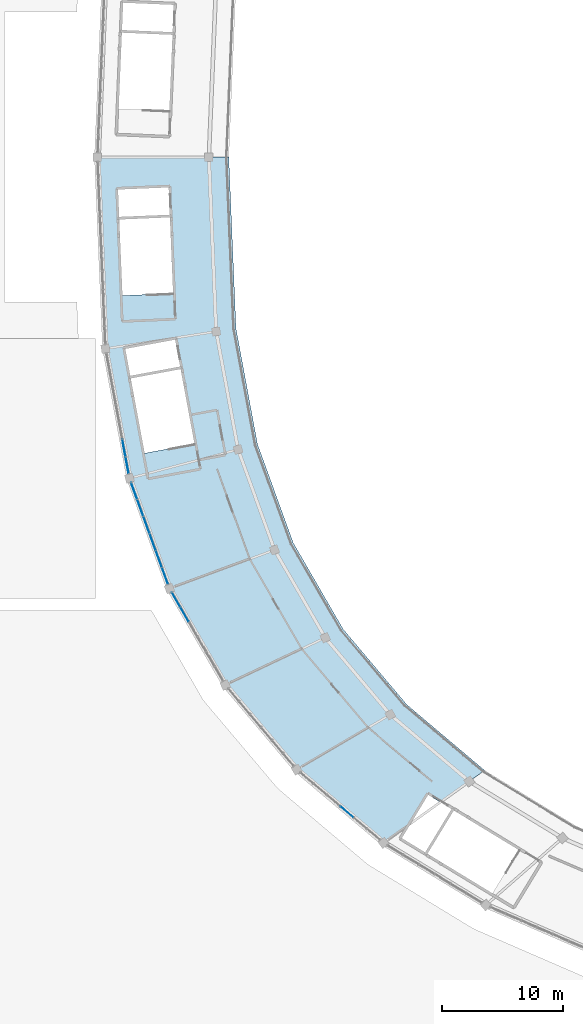
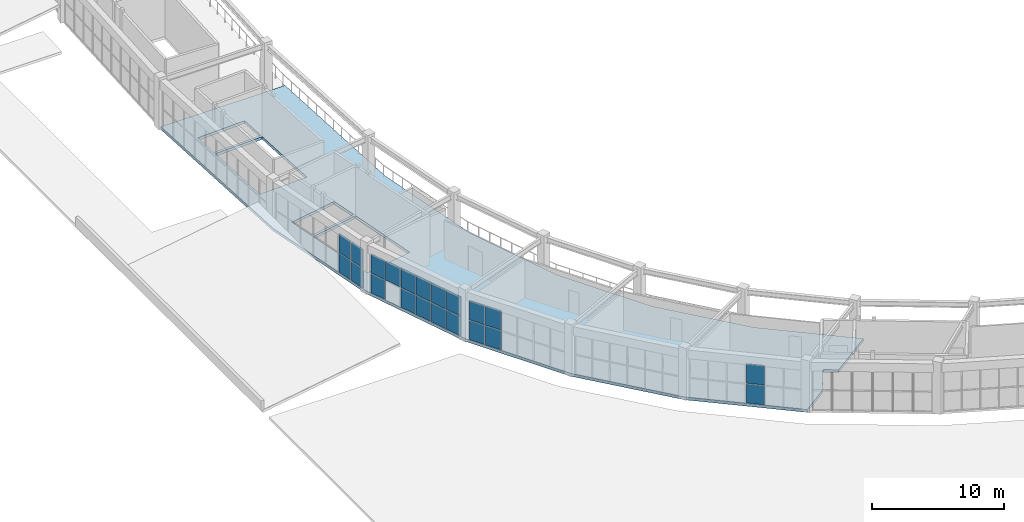
# One storey, part 29 of 45: 21 plates, 1 slab, 4 elements without a shape of their own.
"""IFC4 building model written with IfcOpenShell, lengths in metres."""

from ifc_helpers import new_model, si_unit, direction, frame, origin, origin_2d, place, context, subcontext, project, spatial, polyline, rectangle, outline, extrude, material, layer, layer_set, type_object, element, aggregate, save


model = new_model("IFC4")

# Units and contexts
model_context = context("Model", 3, precision=1e-05, world=origin(), true_north=direction((0.0, 1.0)))
body_context = subcontext(model_context, "Body", "Model", "MODEL_VIEW")
ifc_project = project(units=[si_unit("LENGTHUNIT", "METRE"), si_unit("AREAUNIT", "SQUARE_METRE"), si_unit("VOLUMEUNIT", "CUBIC_METRE"), si_unit("PLANEANGLEUNIT", "RADIAN"), si_unit("MASSUNIT", "GRAM", prefix="KILO")], contexts=[model_context])

# Site, building, storey
site_placement = place(None, origin())
site = spatial("IfcSite", under=ifc_project, at=site_placement, CompositionType="ELEMENT")
building_placement = place(site_placement, origin())
building = spatial("IfcBuilding", under=site, at=building_placement, Name="Mphavela Belvedere Stadium", CompositionType="ELEMENT")
storey_placement = place(building_placement, frame((0.0, 0.0, 24.0)))
storey = spatial("IfcBuildingStorey", under=building, at=storey_placement, Name="L05", CompositionType="ELEMENT", Elevation=24.0)

# Curtain wall, plates
ifc_material_1 = material(Name="Anodised bronze unitised curtain wall framing")
ifc_layer_1 = layer(ifc_material_1, 0.18505859375)
ifc_layer_set_1 = layer_set([ifc_layer_1], Name="Anodised bronze unitised curtain wall framing")
curtain_wall_type_1 = type_object("IfcCurtainWallType", Name="CW-UNIT-02", PredefinedType="USERDEFINED", material=ifc_layer_set_1)
curtain_wall_1_placement = place(storey_placement, origin())
curtain_wall_1 = element("IfcCurtainWall", 1, at=curtain_wall_1_placement, inside=storey, type_object=curtain_wall_type_1, Name="Belvedere colonnade curtain wall L05-26", ObjectType="UNITISED CURTAIN WALL", PredefinedType="USERDEFINED")
ifc_material_2 = material(Name="Solar-control double glazing", Category="glass")
ifc_layer_2 = layer(ifc_material_2, 0.031982421875)
ifc_layer_set_2 = layer_set([ifc_layer_2], Name="Solar-control double glazing")
plate_type = type_object("IfcPlateType", Name="CWP-SOLAR-GLASS", PredefinedType="CURTAIN_PANEL", material=ifc_layer_set_2)
plate_1_placement = place(storey_placement, frame((14.37255859375, 62.9296875, 0.06005859375), z_axis=(0.0, 0.0, 1.0), x_axis=(0.182618040183, -0.98318393569, 0.0)))
plate_1 = element("IfcPlate", 2, at=plate_1_placement, type_object=plate_type, Name="CW-02 panel 6.1", PredefinedType="CURTAIN_PANEL", context=body_context, shape_type="SweptSolid", body=[
    extrude(rectangle(XDim=1.392822265625, YDim=0.031982421875, at=origin_2d()), origin(), (0.0, 0.0, 1.0), 1.77001953125),
])
plate_2_placement = place(storey_placement, frame((14.37255859375, 62.9296875, 1.889892578125), z_axis=(0.0, 0.0, 1.0), x_axis=(0.182618040183, -0.98318393569, 0.0)))
plate_2 = element("IfcPlate", 3, at=plate_2_placement, type_object=plate_type, Name="CW-02 panel 6.2", PredefinedType="CURTAIN_PANEL", context=body_context, shape_type="SweptSolid", body=[
    extrude(rectangle(XDim=1.392822265625, YDim=0.031982421875, at=origin_2d()), origin(), (0.0, 0.0, 1.0), 1.77001953125),
])
plate_3_placement = place(storey_placement, frame((14.6357421875, 61.51220703125, 0.06005859375), z_axis=(0.0, 0.0, 1.0), x_axis=(0.182618040183, -0.98318393569, 0.0)))
plate_3 = element("IfcPlate", 4, at=plate_3_placement, type_object=plate_type, Name="CW-02 panel 7.1", PredefinedType="CURTAIN_PANEL", context=body_context, shape_type="SweptSolid", body=[
    extrude(rectangle(XDim=1.3603515625, YDim=0.031982421875, at=origin_2d()), origin(), (0.0, 0.0, 1.0), 1.77001953125),
])
plate_4_placement = place(storey_placement, frame((14.6357421875, 61.51220703125, 1.889892578125), z_axis=(0.0, 0.0, 1.0), x_axis=(0.182618040183, -0.98318393569, 0.0)))
plate_4 = element("IfcPlate", 5, at=plate_4_placement, type_object=plate_type, Name="CW-02 panel 7.2", PredefinedType="CURTAIN_PANEL", context=body_context, shape_type="SweptSolid", body=[
    extrude(rectangle(XDim=1.3603515625, YDim=0.031982421875, at=origin_2d()), origin(), (0.0, 0.0, 1.0), 1.77001953125),
])
aggregate(curtain_wall_1, [plate_1, plate_2, plate_3, plate_4])

ifc_material_3 = material(Name="Anodised bronze unitised curtain wall framing")
ifc_layer_3 = layer(ifc_material_3, 0.18994140625)
ifc_layer_set_3 = layer_set([ifc_layer_3], Name="Anodised bronze unitised curtain wall framing")
curtain_wall_type_2 = type_object("IfcCurtainWallType", Name="CW-UNIT-03", PredefinedType="USERDEFINED", material=ifc_layer_set_3)
curtain_wall_2_placement = place(storey_placement, origin())
curtain_wall_2 = element("IfcCurtainWall", 6, at=curtain_wall_2_placement, inside=storey, type_object=curtain_wall_type_2, Name="Belvedere colonnade curtain wall L05-27", ObjectType="UNITISED CURTAIN WALL", PredefinedType="USERDEFINED")
plate_5_placement = place(storey_placement, frame((15.215576171875, 59.3896484375, 0.06005859375), z_axis=(0.0, 0.0, 1.0), x_axis=(0.341027014251, -0.940053496111, 0.0)))
plate_5 = element("IfcPlate", 7, at=plate_5_placement, type_object=plate_type, Name="CW-03 panel 1.1", PredefinedType="CURTAIN_PANEL", context=body_context, shape_type="SweptSolid", body=[
    extrude(rectangle(XDim=1.4033203125, YDim=0.031982421875, at=origin_2d()), origin(), (0.0, 0.0, 1.0), 1.77001953125),
])
plate_6_placement = place(storey_placement, frame((15.215576171875, 59.3896484375, 1.889892578125), z_axis=(0.0, 0.0, 1.0), x_axis=(0.341027014251, -0.940053496111, 0.0)))
plate_6 = element("IfcPlate", 8, at=plate_6_placement, type_object=plate_type, Name="CW-03 panel 1.2", PredefinedType="CURTAIN_PANEL", context=body_context, shape_type="SweptSolid", body=[
    extrude(rectangle(XDim=1.4033203125, YDim=0.031982421875, at=origin_2d()), origin(), (0.0, 0.0, 1.0), 1.77001953125),
])
plate_7_placement = place(storey_placement, frame((15.721923828125, 57.993896484375, 1.889892578125), z_axis=(0.0, 0.0, 1.0), x_axis=(0.341027014251, -0.940053496111, 0.0)))
plate_7 = element("IfcPlate", 9, at=plate_7_placement, type_object=plate_type, Name="CW-03 panel 2.2", PredefinedType="CURTAIN_PANEL", context=body_context, shape_type="SweptSolid", body=[
    extrude(rectangle(XDim=1.435791015625, YDim=0.031982421875, at=origin_2d()), origin(), (0.0, 0.0, 1.0), 1.77001953125),
])
plate_8_placement = place(storey_placement, frame((16.233642578125, 56.5830078125, 0.06005859375), z_axis=(0.0, 0.0, 1.0), x_axis=(0.341027014251, -0.940053496111, 0.0)))
plate_8 = element("IfcPlate", 10, at=plate_8_placement, type_object=plate_type, Name="CW-03 panel 3.1", PredefinedType="CURTAIN_PANEL", context=body_context, shape_type="SweptSolid", body=[
    extrude(rectangle(XDim=1.435791015625, YDim=0.031982421875, at=origin_2d()), origin(), (0.0, 0.0, 1.0), 1.77001953125),
])
plate_9_placement = place(storey_placement, frame((16.233642578125, 56.5830078125, 1.889892578125), z_axis=(0.0, 0.0, 1.0), x_axis=(0.341027014251, -0.940053496111, 0.0)))
plate_9 = element("IfcPlate", 11, at=plate_9_placement, type_object=plate_type, Name="CW-03 panel 3.2", PredefinedType="CURTAIN_PANEL", context=body_context, shape_type="SweptSolid", body=[
    extrude(rectangle(XDim=1.435791015625, YDim=0.031982421875, at=origin_2d()), origin(), (0.0, 0.0, 1.0), 1.77001953125),
])
plate_10_placement = place(storey_placement, frame((16.74560546875, 55.172119140625, 0.06005859375), z_axis=(0.0, 0.0, 1.0), x_axis=(0.341027014251, -0.940053496111, 0.0)))
plate_10 = element("IfcPlate", 12, at=plate_10_placement, type_object=plate_type, Name="CW-03 panel 4.1", PredefinedType="CURTAIN_PANEL", context=body_context, shape_type="SweptSolid", body=[
    extrude(rectangle(XDim=1.435791015625, YDim=0.031982421875, at=origin_2d()), origin(), (0.0, 0.0, 1.0), 1.77001953125),
])
plate_11_placement = place(storey_placement, frame((16.74560546875, 55.172119140625, 1.889892578125), z_axis=(0.0, 0.0, 1.0), x_axis=(0.341027014251, -0.940053496111, 0.0)))
plate_11 = element("IfcPlate", 13, at=plate_11_placement, type_object=plate_type, Name="CW-03 panel 4.2", PredefinedType="CURTAIN_PANEL", context=body_context, shape_type="SweptSolid", body=[
    extrude(rectangle(XDim=1.435791015625, YDim=0.031982421875, at=origin_2d()), origin(), (0.0, 0.0, 1.0), 1.77001953125),
])
plate_12_placement = place(storey_placement, frame((17.25732421875, 53.76123046875, 0.06005859375), z_axis=(0.0, 0.0, 1.0), x_axis=(0.341027014251, -0.940053496111, 0.0)))
plate_12 = element("IfcPlate", 14, at=plate_12_placement, type_object=plate_type, Name="CW-03 panel 5.1", PredefinedType="CURTAIN_PANEL", context=body_context, shape_type="SweptSolid", body=[
    extrude(rectangle(XDim=1.435791015625, YDim=0.031982421875, at=origin_2d()), origin(), (0.0, 0.0, 1.0), 1.77001953125),
])
plate_13_placement = place(storey_placement, frame((17.25732421875, 53.76123046875, 1.889892578125), z_axis=(0.0, 0.0, 1.0), x_axis=(0.341027014251, -0.940053496111, 0.0)))
plate_13 = element("IfcPlate", 15, at=plate_13_placement, type_object=plate_type, Name="CW-03 panel 5.2", PredefinedType="CURTAIN_PANEL", context=body_context, shape_type="SweptSolid", body=[
    extrude(rectangle(XDim=1.435791015625, YDim=0.031982421875, at=origin_2d()), origin(), (0.0, 0.0, 1.0), 1.77001953125),
])
plate_14_placement = place(storey_placement, frame((17.763671875, 52.365478515625, 0.06005859375), z_axis=(0.0, 0.0, 1.0), x_axis=(0.341027014251, -0.940053496111, 0.0)))
plate_14 = element("IfcPlate", 16, at=plate_14_placement, type_object=plate_type, Name="CW-03 panel 6.1", PredefinedType="CURTAIN_PANEL", context=body_context, shape_type="SweptSolid", body=[
    extrude(rectangle(XDim=1.4033203125, YDim=0.031982421875, at=origin_2d()), origin(), (0.0, 0.0, 1.0), 1.77001953125),
])
plate_15_placement = place(storey_placement, frame((17.763671875, 52.365478515625, 1.889892578125), z_axis=(0.0, 0.0, 1.0), x_axis=(0.341027014251, -0.940053496111, 0.0)))
plate_15 = element("IfcPlate", 17, at=plate_15_placement, type_object=plate_type, Name="CW-03 panel 6.2", PredefinedType="CURTAIN_PANEL", context=body_context, shape_type="SweptSolid", body=[
    extrude(rectangle(XDim=1.4033203125, YDim=0.031982421875, at=origin_2d()), origin(), (0.0, 0.0, 1.0), 1.77001953125),
])
aggregate(curtain_wall_2, [plate_5, plate_6, plate_7, plate_8, plate_9, plate_10, plate_11, plate_12, plate_13, plate_14, plate_15])

ifc_material_4 = material(Name="Anodised bronze unitised curtain wall framing")
ifc_layer_4 = layer(ifc_material_4, 0.195068359375)
ifc_layer_set_4 = layer_set([ifc_layer_4], Name="Anodised bronze unitised curtain wall framing")
curtain_wall_type_3 = type_object("IfcCurtainWallType", Name="CW-UNIT-04", PredefinedType="USERDEFINED", material=ifc_layer_set_4)
curtain_wall_3_placement = place(storey_placement, origin())
curtain_wall_3 = element("IfcCurtainWall", 18, at=curtain_wall_3_placement, inside=storey, type_object=curtain_wall_type_3, Name="Belvedere colonnade curtain wall L05-28", ObjectType="UNITISED CURTAIN WALL", PredefinedType="USERDEFINED")
plate_16_placement = place(storey_placement, frame((18.681640625, 50.3876953125, 0.06005859375), z_axis=(0.0, 0.0, 1.0), x_axis=(0.500555998906, -0.865704159606, 0.0)))
plate_16 = element("IfcPlate", 19, at=plate_16_placement, type_object=plate_type, Name="CW-04 panel 1.1", PredefinedType="CURTAIN_PANEL", context=body_context, shape_type="SweptSolid", body=[
    extrude(rectangle(XDim=1.32275390625, YDim=0.031982421875, at=origin_2d()), origin(), (0.0, 0.0, 1.0), 1.77001953125),
])
plate_17_placement = place(storey_placement, frame((18.681640625, 50.3876953125, 1.889892578125), z_axis=(0.0, 0.0, 1.0), x_axis=(0.500555998906, -0.865704159606, 0.0)))
plate_17 = element("IfcPlate", 20, at=plate_17_placement, type_object=plate_type, Name="CW-04 panel 1.2", PredefinedType="CURTAIN_PANEL", context=body_context, shape_type="SweptSolid", body=[
    extrude(rectangle(XDim=1.32275390625, YDim=0.031982421875, at=origin_2d()), origin(), (0.0, 0.0, 1.0), 1.77001953125),
])
plate_18_placement = place(storey_placement, frame((19.384521484375, 49.17236328125, 0.06005859375), z_axis=(0.0, 0.0, 1.0), x_axis=(0.500555998906, -0.865704159606, 0.0)))
plate_18 = element("IfcPlate", 21, at=plate_18_placement, type_object=plate_type, Name="CW-04 panel 2.1", PredefinedType="CURTAIN_PANEL", context=body_context, shape_type="SweptSolid", body=[
    extrude(rectangle(XDim=1.355224609375, YDim=0.031982421875, at=origin_2d()), origin(), (0.0, 0.0, 1.0), 1.77001953125),
])
plate_19_placement = place(storey_placement, frame((19.384521484375, 49.17236328125, 1.889892578125), z_axis=(0.0, 0.0, 1.0), x_axis=(0.500555998906, -0.865704159606, 0.0)))
plate_19 = element("IfcPlate", 22, at=plate_19_placement, type_object=plate_type, Name="CW-04 panel 2.2", PredefinedType="CURTAIN_PANEL", context=body_context, shape_type="SweptSolid", body=[
    extrude(rectangle(XDim=1.355224609375, YDim=0.031982421875, at=origin_2d()), origin(), (0.0, 0.0, 1.0), 1.77001953125),
])
aggregate(curtain_wall_3, [plate_16, plate_17, plate_18, plate_19])

ifc_material_5 = material(Name="Anodised bronze unitised curtain wall framing")
ifc_layer_5 = layer(ifc_material_5, 0.205078125)
ifc_layer_set_5 = layer_set([ifc_layer_5], Name="Anodised bronze unitised curtain wall framing")
curtain_wall_type_4 = type_object("IfcCurtainWallType", Name="CW-UNIT-06", PredefinedType="USERDEFINED", material=ifc_layer_set_5)
curtain_wall_4_placement = place(storey_placement, origin())
curtain_wall_4 = element("IfcCurtainWall", 23, at=curtain_wall_4_placement, inside=storey, type_object=curtain_wall_type_4, Name="Belvedere colonnade curtain wall L05-30", ObjectType="UNITISED CURTAIN WALL", PredefinedType="USERDEFINED")
plate_20_placement = place(storey_placement, frame((32.807373046875, 32.848388671875, 0.06005859375), z_axis=(0.0, 0.0, 1.0), x_axis=(0.764253429051, -0.644916038089, 0.0)))
plate_20 = element("IfcPlate", 24, at=plate_20_placement, type_object=plate_type, Name="CW-06 panel 4.1", PredefinedType="CURTAIN_PANEL", context=body_context, shape_type="SweptSolid", body=[
    extrude(rectangle(XDim=1.38525390625, YDim=0.031982421875, at=origin_2d()), origin(), (0.0, 0.0, 1.0), 1.77001953125),
])
plate_21_placement = place(storey_placement, frame((32.807373046875, 32.848388671875, 1.889892578125), z_axis=(0.0, 0.0, 1.0), x_axis=(0.764253429051, -0.644916038089, 0.0)))
plate_21 = element("IfcPlate", 25, at=plate_21_placement, type_object=plate_type, Name="CW-06 panel 4.2", PredefinedType="CURTAIN_PANEL", context=body_context, shape_type="SweptSolid", body=[
    extrude(rectangle(XDim=1.38525390625, YDim=0.031982421875, at=origin_2d()), origin(), (0.0, 0.0, 1.0), 1.77001953125),
])
aggregate(curtain_wall_4, [plate_20, plate_21])

# Slab
ifc_material_6 = material(Name="Concrete C40/50", Category="concrete")
ifc_layer_6 = layer(ifc_material_6, 0.25)
ifc_layer_set_6 = layer_set([ifc_layer_6], Name="Concrete C40/50")
slab_type = type_object("IfcSlabType", Name="SLB-CONCOURSE-250", PredefinedType="FLOOR", material=ifc_layer_set_6)
slab_placement = place(storey_placement, frame((0.0, 0.0, -0.25)))
element("IfcSlab", 26, at=slab_placement, inside=storey, type_object=slab_type, Name="Concourse sector slab L05-S5", PredefinedType="FLOOR", context=body_context, shape_type="SweptSolid", body=[
    extrude(outline(polyline([(18.143798828125, 51.317626953125), (14.83544921875, 60.4375), (12.844482421875, 71.155029296875), (12.179931640625, 87.0), (23.0439453125, 87.0), (23.638427734375, 72.8291015625), (25.418701171875, 63.244140625), (28.377685546875, 55.087890625), (32.50390625, 47.951904296875), (37.7841796875, 41.698486328125), (44.2080078125, 36.27783203125), (40.532958984375, 33.644775390625), (39.5341796875, 34.252197265625), (38.107666015625, 31.906982421875), (35.844482421875, 30.285400390625), (28.66162109375, 36.346435546875), (22.757568359375, 43.33837890625), (18.143798828125, 51.317626953125)]), holes=[polyline([(18.17138671875, 82.017578125), (13.985107421875, 81.842041015625), (14.248779296875, 75.551513671875), (18.43505859375, 75.72705078125), (18.17138671875, 82.017578125)]), polyline([(18.067626953125, 84.495361328125), (13.88134765625, 84.31982421875), (13.97607421875, 82.061767578125), (18.162353515625, 82.2373046875), (18.067626953125, 84.495361328125)]), polyline([(16.08642578125, 62.51025390625), (20.2060546875, 63.275146484375), (19.056396484375, 69.46533203125), (14.93701171875, 68.7001953125), (16.08642578125, 62.51025390625)]), polyline([(14.896728515625, 68.91650390625), (19.016357421875, 69.681640625), (18.603759765625, 71.903564453125), (14.484130859375, 71.138671875), (14.896728515625, 68.91650390625)])]), origin(), (0.0, 0.0, 1.0), 0.25),
])

save(model, "model.ifc")
